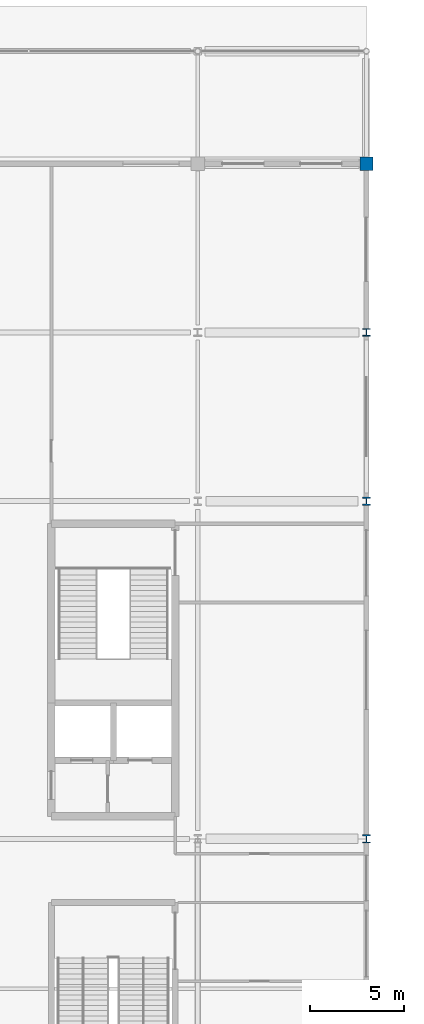
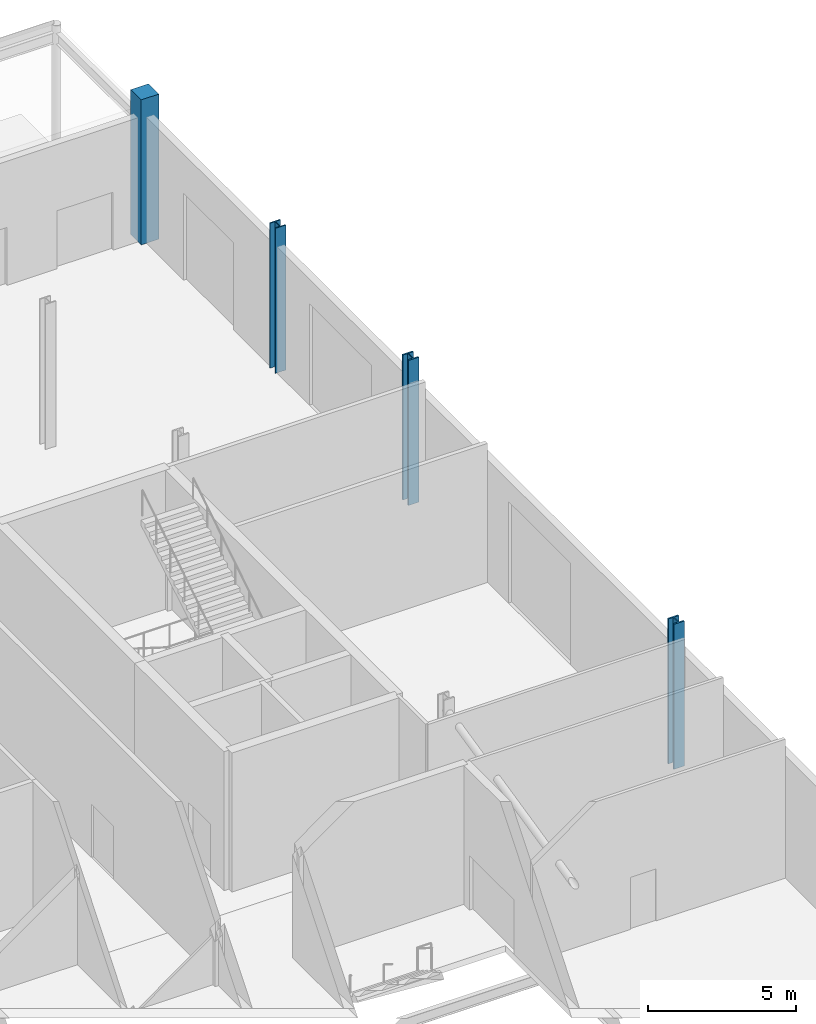
# One storey, part 15 of 84: 4 columns.
"""IFC4 building model written with IfcOpenShell, lengths in metres."""

from ifc_helpers import new_model, si_unit, direction, frame, origin, origin_2d, place, context, subcontext, project, spatial, rectangle, i_section, extrude, material, material_profile, profile_set, type_object, element, save


model = new_model("IFC4")

# Units and contexts
model_context = context("Model", 3, precision=1e-05, world=origin(), true_north=direction((0.0, 1.0)))
body_context = subcontext(model_context, "Body", "Model", "MODEL_VIEW")
ifc_project = project(units=[si_unit("LENGTHUNIT", "METRE"), si_unit("AREAUNIT", "SQUARE_METRE"), si_unit("VOLUMEUNIT", "CUBIC_METRE"), si_unit("PLANEANGLEUNIT", "RADIAN"), si_unit("MASSUNIT", "GRAM", prefix="KILO")], contexts=[model_context])

# Site, building, storey
site_placement = place(None, origin())
site = spatial("IfcSite", under=ifc_project, at=site_placement, CompositionType="ELEMENT")
building_placement = place(site_placement, origin())
building = spatial("IfcBuilding", under=site, at=building_placement, Name="Kisiwana Market Hall", CompositionType="ELEMENT")
storey_placement = place(building_placement, origin())
storey = spatial("IfcBuildingStorey", under=building, at=storey_placement, Name="L00", CompositionType="ELEMENT", Elevation=0.0)

# Columns
ifc_material_1 = material(Name="Concrete C40/50", Category="concrete")
ifc_material_profile_1 = material_profile(ifc_material_1, rectangle(XDim=0.699951171875, YDim=0.699951171875, at=origin_2d()), Name="RC 700x700")
ifc_profile_set_1 = profile_set([ifc_material_profile_1], Name="Concrete C40/50")
column_type_1 = type_object("IfcColumnType", Name="COL-RC-POD-700", PredefinedType="COLUMN", material=ifc_profile_set_1)
column_1_placement = place(storey_placement, frame((198.0, 120.0, 0.0), z_axis=(0.0, 0.0, 1.0), x_axis=(1.0, 0.0, 0.0)))
element("IfcColumn", 1, at=column_1_placement, inside=storey, type_object=column_type_1, Name="Column Q/23 (L00) C-0332", PredefinedType="COLUMN", context=body_context, shape_type="SweptSolid", body=[
    extrude(rectangle(XDim=0.699951171875, YDim=0.699951171875, at=origin_2d()), origin(), (0.0, 0.0, 1.0), 6.0),
])
ifc_material_2 = material(Name="Steel S355", Category="steel")
ifc_material_profile_2 = material_profile(ifc_material_2, i_section(OverallWidth=0.412109375, OverallDepth=0.43505859375, WebThickness=0.035888671875, FlangeThickness=0.05810546875, at=origin_2d()), Name="HD 400x463")
ifc_profile_set_2 = profile_set([ifc_material_profile_2], Name="Steel S355")
column_type_2 = type_object("IfcColumnType", Name="COL-STL-HD463", PredefinedType="COLUMN", material=ifc_profile_set_2)
for number, where, z_axis, x_axis, name in (
    (2, (198.0, 84.0, 0.0), (0.0, 0.0, 1.0), (1.0, 0.0, 0.0), "Column L/23 (L00) C-0329"),
    (3, (198.0, 102.0, 0.0), (0.0, 0.0, 1.0), (1.0, 0.0, 0.0), "Column N/23 (L00) C-0330"),
):
    element("IfcColumn", number, at=place(storey_placement, frame(where, z_axis=z_axis, x_axis=x_axis)), inside=storey, type_object=column_type_2, Name=name, PredefinedType="COLUMN", context=body_context, shape_type="SweptSolid", body=[
        extrude(i_section(OverallWidth=0.412109375, OverallDepth=0.43505859375, WebThickness=0.035888671875, FlangeThickness=0.05810546875, at=origin_2d()), origin(), (0.0, 0.0, 1.0), 6.0),
    ])
ifc_material_3 = material(Name="Steel S355", Category="steel")
ifc_material_profile_3 = material_profile(ifc_material_3, i_section(OverallWidth=0.403076171875, OverallDepth=0.406494140625, WebThickness=0.026611328125, FlangeThickness=0.04296875, at=origin_2d()), Name="UC 356x406x340")
ifc_profile_set_3 = profile_set([ifc_material_profile_3], Name="Steel S355")
column_type_3 = type_object("IfcColumnType", Name="COL-STL-UC340", PredefinedType="COLUMN", material=ifc_profile_set_3)
column_2_placement = place(storey_placement, frame((198.0, 111.0, 0.0), z_axis=(0.0, 0.0, 1.0), x_axis=(1.0, 0.0, 0.0)))
element("IfcColumn", 4, at=column_2_placement, inside=storey, type_object=column_type_3, Name="Column P/23 (L00) C-0331", PredefinedType="COLUMN", context=body_context, shape_type="SweptSolid", body=[
    extrude(i_section(OverallWidth=0.403076171875, OverallDepth=0.406494140625, WebThickness=0.026611328125, FlangeThickness=0.04296875, at=origin_2d()), origin(), (0.0, 0.0, 1.0), 6.0),
])

save(model, "model.ifc")
